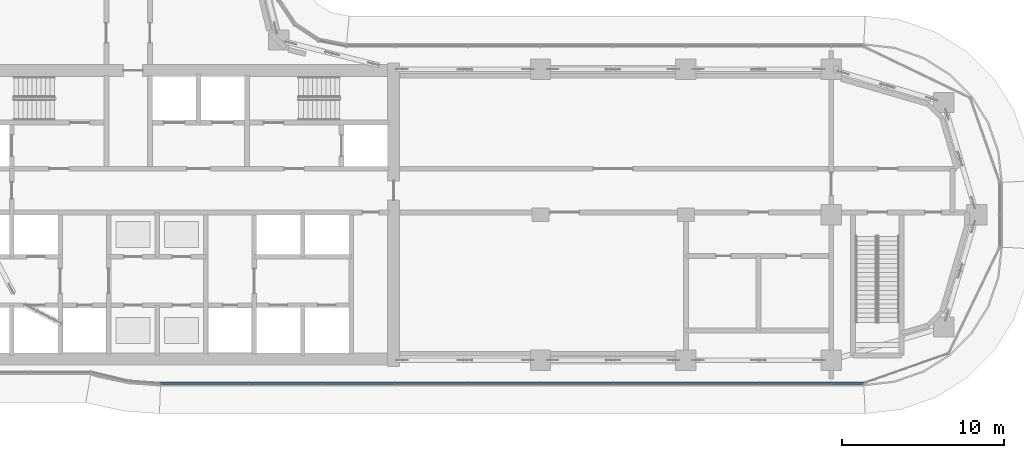
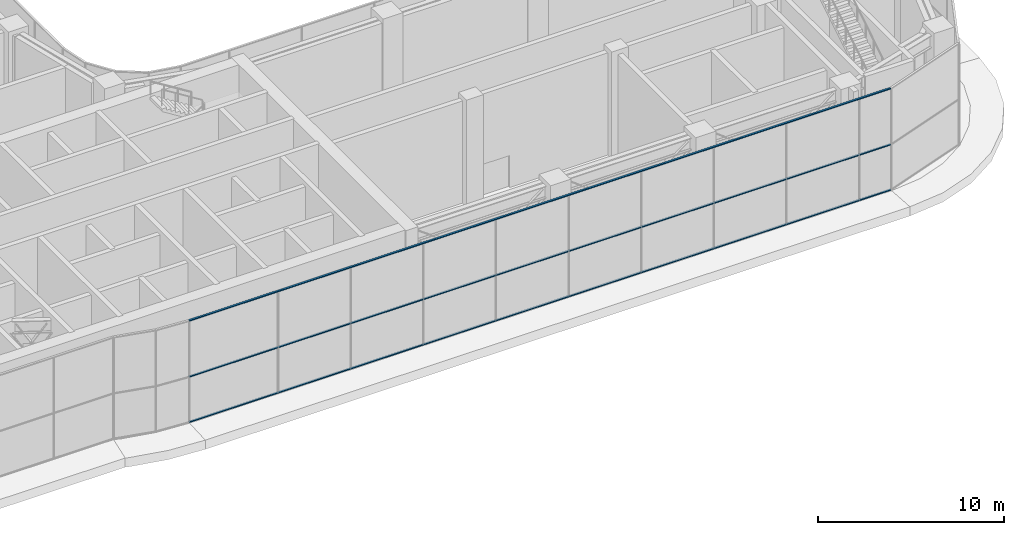
# One storey, part 6 of 35: 3 members, 1 element without a shape of its own.
"""IFC4 building model written with IfcOpenShell, lengths in metres."""

from ifc_helpers import new_model, si_unit, direction, frame, origin, origin_2d, place, context, subcontext, project, spatial, rectangle, extrude, material, material_profile, profile_set, type_object, element, aggregate, save


model = new_model("IFC4")

# Units and contexts
model_context = context("Model", 3, precision=1e-05, world=origin(), true_north=direction((0.0, 1.0)))
body_context = subcontext(model_context, "Body", "Model", "MODEL_VIEW")
ifc_project = project(units=[si_unit("LENGTHUNIT", "METRE"), si_unit("AREAUNIT", "SQUARE_METRE"), si_unit("VOLUMEUNIT", "CUBIC_METRE"), si_unit("PLANEANGLEUNIT", "RADIAN"), si_unit("MASSUNIT", "GRAM", prefix="KILO")], contexts=[model_context])

# Site, building, storey
site_placement = place(None, origin())
site = spatial("IfcSite", under=ifc_project, at=site_placement, CompositionType="ELEMENT")
building_placement = place(site_placement, origin())
building = spatial("IfcBuilding", under=site, at=building_placement, Name="Ogive Portal Towers", CompositionType="ELEMENT")
storey_placement = place(building_placement, frame((0.0, 0.0, 135.199951171875)))
storey = spatial("IfcBuildingStorey", under=building, at=storey_placement, Name="L33", CompositionType="ELEMENT", Elevation=135.199951171875)

# Curtain wall, members
ifc_material_1 = material(Name="Glass, clear low-iron insulated glazing", Category="glass")
curtain_wall_type = type_object("IfcCurtainWallType", Name="CW OBSERVATION WALL", PredefinedType="NOTDEFINED", material=ifc_material_1)
curtain_wall_placement = place(storey_placement, origin())
curtain_wall = element("IfcCurtainWall", 1, at=curtain_wall_placement, inside=storey, type_object=curtain_wall_type, Name="A:L33:f06:cw0", PredefinedType="NOTDEFINED")
ifc_material_2 = material(Name="Aluminium 6063 anodised", Category="aluminium")
ifc_material_profile = material_profile(ifc_material_2, rectangle(XDim=0.1201171875, YDim=0.06005859375, at=origin_2d()), Name="AL 120x60")
ifc_profile_set = profile_set([ifc_material_profile], Name="Aluminium 6063 anodised")
member_type = type_object("IfcMemberType", Name="CW TRANSOM 60x120", PredefinedType="USERDEFINED", material=ifc_profile_set)
member_1_placement = place(storey_placement, frame((44.0029296875, 20.080078125, 0.030029296875), z_axis=(1.0, 0.0, 0.0), x_axis=(0.0, 1.0, 0.0)))
member_1 = element("IfcMember", 2, at=member_1_placement, type_object=member_type, Name="transom", ObjectType="TRANSOM", PredefinedType="USERDEFINED", context=body_context, shape_type="SweptSolid", body=[
    extrude(rectangle(XDim=0.1201171875, YDim=0.06005859375, at=origin_2d()), origin(), (0.0, 0.0, 1.0), 43.4833984375),
])
member_2_placement = place(storey_placement, frame((44.0029296875, 20.080078125, 3.0), z_axis=(1.0, 0.0, 0.0), x_axis=(0.0, 1.0, 0.0)))
member_2 = element("IfcMember", 3, at=member_2_placement, type_object=member_type, Name="transom", ObjectType="TRANSOM", PredefinedType="USERDEFINED", context=body_context, shape_type="SweptSolid", body=[
    extrude(rectangle(XDim=0.1201171875, YDim=0.06005859375, at=origin_2d()), origin(), (0.0, 0.0, 1.0), 43.4833984375),
])
member_3_placement = place(storey_placement, frame((44.0029296875, 20.080078125, 6.670166015625), z_axis=(1.0, 0.0, 0.0), x_axis=(0.0, 1.0, 0.0)))
member_3 = element("IfcMember", 4, at=member_3_placement, type_object=member_type, Name="transom", ObjectType="TRANSOM", PredefinedType="USERDEFINED", context=body_context, shape_type="SweptSolid", body=[
    extrude(rectangle(XDim=0.1201171875, YDim=0.06005859375, at=origin_2d()), origin(), (0.0, 0.0, 1.0), 43.4833984375),
])
aggregate(curtain_wall, [member_1, member_2, member_3])

save(model, "model.ifc")
